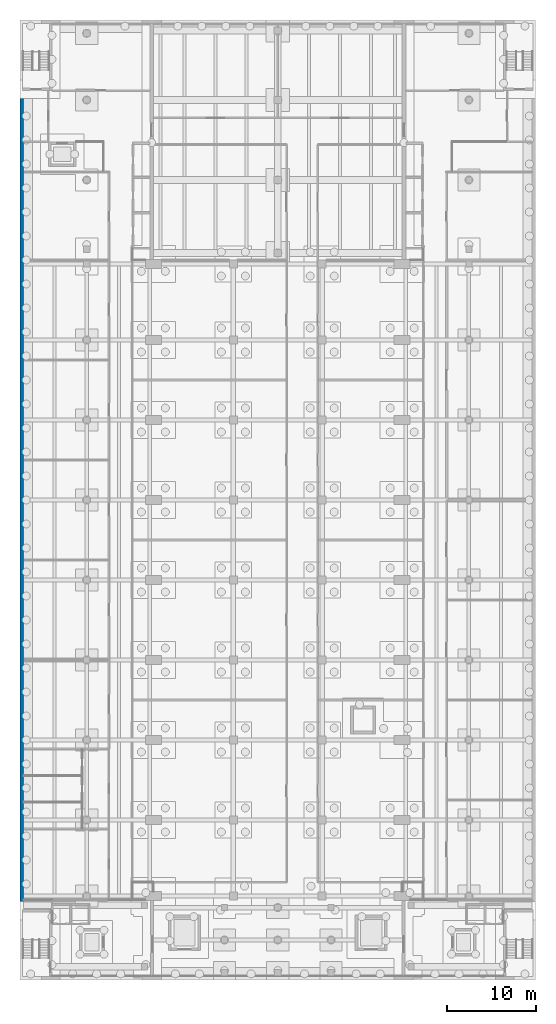
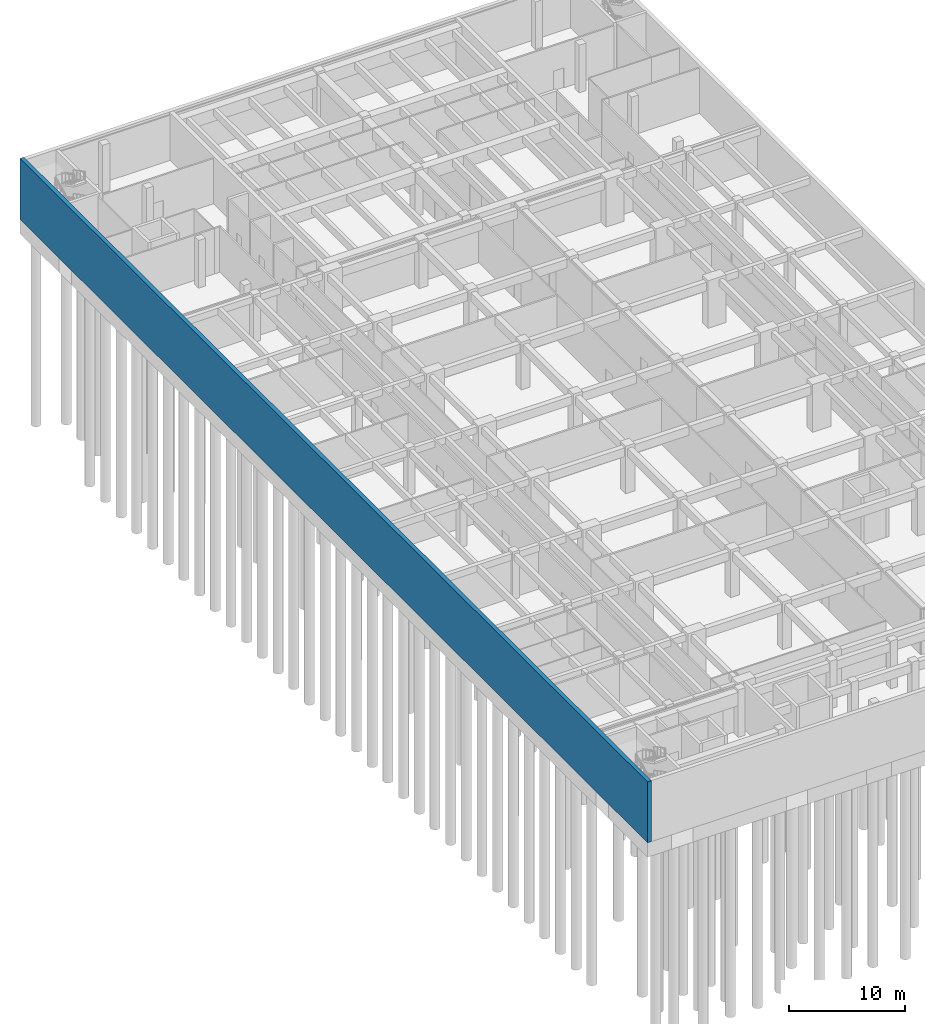
# One storey, part 11 of 19: 1 wall.
"""IFC4 building model written with IfcOpenShell, lengths in metres."""

import ifcopenshell
import ifcopenshell.guid

model = None  # the IFC model being written
_history = None  # IfcOwnerHistory: only IFC2X3 demands one
_inside = {}  # id of a spatial element -> (the spatial element, [elements in it])
_under = {}  # id of a project, library or spatial element -> (it, [spatial elements below it])
_declared = {}  # id of a project -> (the project, [libraries it declares])
_typed = {}  # id of a type object -> (the type object, [elements of that type])
_made_of = {}  # id of a material, layer set ... -> (it, [elements and type objects made of it])


def new_model(schema):
    """Start an empty IFC model of exactly this schema.

    Asked for "IFC4X3", IfcOpenShell would pick the latest addendum, in which some entities
    have other attributes; the version numbers below select the first issue.
    IFC2X3 requires an IfcOwnerHistory on every rooted entity: one is made here for all.
    """
    global model, _history
    if schema == "IFC4X3":
        model = ifcopenshell.file(schema_version=(4, 3, 0, 0))
    else:
        model = ifcopenshell.file(schema=schema)
    _inside.clear()
    _under.clear()
    _declared.clear()
    _typed.clear()
    _made_of.clear()
    _history = None
    if model.schema == "IFC2X3":
        org = make("IfcOrganization", Name="unknown")
        user = make(
            "IfcPersonAndOrganization",
            ThePerson=make("IfcPerson", FamilyName="unknown"),
            TheOrganization=org,
        )
        app = make(
            "IfcApplication",
            ApplicationDeveloper=org,
            Version="unknown",
            ApplicationFullName="unknown",
            ApplicationIdentifier="unknown",
        )
        _history = make(
            "IfcOwnerHistory",
            OwningUser=user,
            OwningApplication=app,
            ChangeAction="ADDED",
            CreationDate=0,
        )
    return model


def make(cls, **values):
    """One entity of the class cls with the attributes given. An attribute that is None is left unset."""
    return model.create_entity(
        cls, **{name: value for name, value in values.items() if value is not None}
    )


def rooted(cls, **values):
    """An entity with a GlobalId (a new one), such as an element, a storey or a relation."""
    return make(cls, GlobalId=ifcopenshell.guid.new(), OwnerHistory=_history, **values)


def si_unit(unit_type, name, prefix=None):
    """IfcSIUnit, for example si_unit("LENGTHUNIT", "METRE", prefix="MILLI")."""
    return make("IfcSIUnit", UnitType=unit_type, Prefix=prefix, Name=name)


def assignment(units):
    """IfcUnitAssignment: the units of a project."""
    return None if units is None else make("IfcUnitAssignment", Units=units)


def point(xyz):
    """IfcCartesianPoint."""
    return None if xyz is None else make("IfcCartesianPoint", Coordinates=xyz)


def direction(xyz):
    """IfcDirection."""
    return None if xyz is None else make("IfcDirection", DirectionRatios=xyz)


def frame(location, z_axis=None, x_axis=None):
    """IfcAxis2Placement3D, a coordinate frame: its origin and axes. An axis left out is left unset."""
    return make(
        "IfcAxis2Placement3D",
        Location=point(location),
        Axis=direction(z_axis),
        RefDirection=direction(x_axis),
    )


def frame_2d(location, x_axis=None):
    """IfcAxis2Placement2D, a coordinate frame in the plane: its origin and x axis."""
    return make(
        "IfcAxis2Placement2D", Location=point(location), RefDirection=direction(x_axis)
    )


def origin():
    """The frame at (0, 0, 0) with its axes left unset."""
    return frame((0.0, 0.0, 0.0))


def place(relative_to, where):
    """IfcLocalPlacement: puts the frame where relative to a parent placement (None: the world)."""
    return make(
        "IfcLocalPlacement", PlacementRelTo=relative_to, RelativePlacement=where
    )


def context(
    kind, dimensions, precision=None, world=None, true_north=None, identifier=None
):
    """IfcGeometricRepresentationContext, for example the 3D "Model" context."""
    return make(
        "IfcGeometricRepresentationContext",
        ContextIdentifier=identifier,
        ContextType=kind,
        CoordinateSpaceDimension=dimensions,
        Precision=precision,
        WorldCoordinateSystem=world,
        TrueNorth=true_north,
    )


def subcontext(parent, identifier, kind, view, scale=None):
    """IfcGeometricRepresentationSubContext, for example "Body" below "Model"."""
    return make(
        "IfcGeometricRepresentationSubContext",
        ContextIdentifier=identifier,
        ContextType=kind,
        ParentContext=parent,
        TargetScale=scale,
        TargetView=view,
    )


def project(units=None, contexts=None):
    """IfcProject with its units and contexts."""
    return rooted(
        "IfcProject",
        Name="project",
        RepresentationContexts=contexts,
        UnitsInContext=assignment(units),
    )


def spatial(cls, under=None, at=None, **own):
    """A site, building, storey or space (cls), placed at a placement, below another one or the project."""
    s = rooted(cls, ObjectPlacement=at, **own)
    if under is not None:
        _under.setdefault(under.id(), (under, []))[1].append(s)
    return s


def profile(cls, at=None, kind="AREA", **sizes):
    """A parametric profile (cls). Its sizes go by their IFC names, for example OverallWidth=200.0."""
    return make(cls, ProfileType=kind, Position=at, **sizes)


def rectangle(**sizes):
    """IfcRectangleProfileDef."""
    return profile("IfcRectangleProfileDef", **sizes)


def extrude(swept, where, along, depth):
    """IfcExtrudedAreaSolid: the profile swept, set in the frame where, extruded along a direction by depth."""
    return make(
        "IfcExtrudedAreaSolid",
        SweptArea=swept,
        Position=where,
        ExtrudedDirection=direction(along),
        Depth=depth,
    )


def shape(context_of_items, identifier, shape_type, items):
    """IfcShapeRepresentation: the items that make up one representation, for example the "Body"."""
    return make(
        "IfcShapeRepresentation",
        ContextOfItems=context_of_items,
        RepresentationIdentifier=identifier,
        RepresentationType=shape_type,
        Items=items,
    )


def material(Name=None, Category=None):
    """IfcMaterial."""
    return make("IfcMaterial", Name=Name, Category=Category)


def layer(
    of_material, thickness, ventilated=None, Name=None, Category=None, Priority=None
):
    """IfcMaterialLayer: one layer of a wall or slab, of a material (None: an air gap)."""
    return make(
        "IfcMaterialLayer",
        Material=of_material,
        LayerThickness=thickness,
        IsVentilated=ventilated,
        Name=Name,
        Category=Category,
        Priority=Priority,
    )


def layer_set(layers, Name=None):
    """IfcMaterialLayerSet."""
    return make("IfcMaterialLayerSet", MaterialLayers=layers, LayerSetName=Name)


def made_of(thing, what):
    """Note that an element or type object is made of a material, layer set ...; save() writes the relation."""
    if what is not None:
        _made_of.setdefault(what.id(), (what, []))[1].append(thing)
    return thing


def type_object(cls, material=None, **own):
    """A type object (cls), such as IfcWallType, which elements share."""
    return made_of(rooted(cls, **own), material)


def element(
    cls,
    number,
    at=None,
    inside=None,
    cuts=None,
    type_object=None,
    material=None,
    context=None,
    identifier="Body",
    shape_type=None,
    held_by="IfcProductDefinitionShape",
    body=None,
    shapes=None,
    **own,
):
    """One element of the class cls, such as IfcWall. Its Tag is "e" and its number.

    at: its placement. inside: the storey or other place that contains it. cuts: it is an
    opening in that element (IfcRelVoidsElement). A single representation is given by context,
    identifier, shape_type and body (its items); several are given by shapes. held_by: the class
    of the entity that holds the representations. save() writes the other relations.
    """
    e = rooted(cls, Tag="e%d" % number, ObjectPlacement=at, **own)
    if body is not None:
        shapes = [shape(context, identifier, shape_type, body)]
    if shapes is not None:
        e.Representation = make(held_by, Representations=shapes)
    if inside is not None:
        _inside.setdefault(inside.id(), (inside, []))[1].append(e)
    if cuts is not None:
        rooted(
            "IfcRelVoidsElement", RelatingBuildingElement=cuts, RelatedOpeningElement=e
        )
    if type_object is not None:
        _typed.setdefault(type_object.id(), (type_object, []))[1].append(e)
    return made_of(e, material)


def aggregate(whole, parts):
    """IfcRelAggregates: a whole, such as a stair, and the parts it consists of."""
    return rooted("IfcRelAggregates", RelatingObject=whole, RelatedObjects=parts)


def save(model, path):
    """Write the relations noted so far, then the file.

    IfcRelAggregates (storeys below a building ...), IfcRelContainedInSpatialStructure (elements
    in a storey), IfcRelDefinesByType, IfcRelAssociatesMaterial and IfcRelDeclares: one each for
    every whole, place, type object, material and project.
    """
    for whole, parts in _under.values():
        aggregate(whole, parts)
    for where, things in _inside.values():
        rooted(
            "IfcRelContainedInSpatialStructure",
            RelatedElements=things,
            RelatingStructure=where,
        )
    for kind, things in _typed.values():
        rooted("IfcRelDefinesByType", RelatedObjects=things, RelatingType=kind)
    for what, things in _made_of.values():
        rooted("IfcRelAssociatesMaterial", RelatedObjects=things, RelatingMaterial=what)
    for by, libraries in _declared.values():
        rooted("IfcRelDeclares", RelatingContext=by, RelatedDefinitions=libraries)
    model.write(path)


model = new_model("IFC4")

# Units and contexts
model_context = context("Model", 3, precision=1e-05, world=origin(), true_north=direction((0.0, 1.0)))
body_context = subcontext(model_context, "Body", "Model", "MODEL_VIEW")
ifc_project = project(units=[si_unit("LENGTHUNIT", "METRE"), si_unit("AREAUNIT", "SQUARE_METRE"), si_unit("VOLUMEUNIT", "CUBIC_METRE"), si_unit("PLANEANGLEUNIT", "RADIAN"), si_unit("MASSUNIT", "GRAM", prefix="KILO")], contexts=[model_context])

# Site, building, storey
site_placement = place(None, origin())
site = spatial("IfcSite", under=ifc_project, at=site_placement, CompositionType="ELEMENT")
building_placement = place(site_placement, origin())
building = spatial("IfcBuilding", under=site, at=building_placement, Name="Elmora Arch Market Hall", CompositionType="ELEMENT")
storey_placement = place(building_placement, frame((0.0, 0.0, -10.0)))
storey = spatial("IfcBuildingStorey", under=building, at=storey_placement, Name="B1", CompositionType="ELEMENT", Elevation=-10.0)

# Wall
ifc_material = material(Name="Concrete C40/50", Category="concrete")
ifc_layer = layer(ifc_material, 0.39990234375)
ifc_layer_set = layer_set([ifc_layer], Name="Concrete C40/50")
wall_type = type_object("IfcWallType", Name="Basement wall 400", PredefinedType="SOLIDWALL", material=ifc_layer_set)
wall_placement = place(storey_placement, frame((0.199951171875, 18.0, -1.39990234375), z_axis=(0.0, 0.0, 1.0), x_axis=(0.0, 1.0, 0.0)))
element("IfcWall", 1, at=wall_placement, inside=storey, type_object=wall_type, Name="Basement wall W B1", PredefinedType="SOLIDWALL", context=body_context, shape_type="SweptSolid", body=[
    extrude(rectangle(XDim=108.0, YDim=0.39990234375, at=frame_2d((54.0, 0.0))), origin(), (0.0, 0.0, 1.0), 6.39990234375),
])

save(model, "model.ifc")
